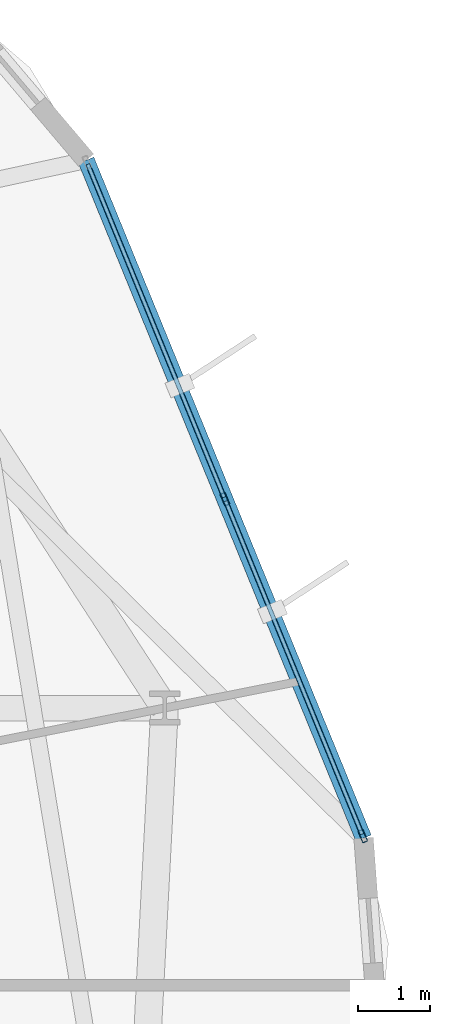
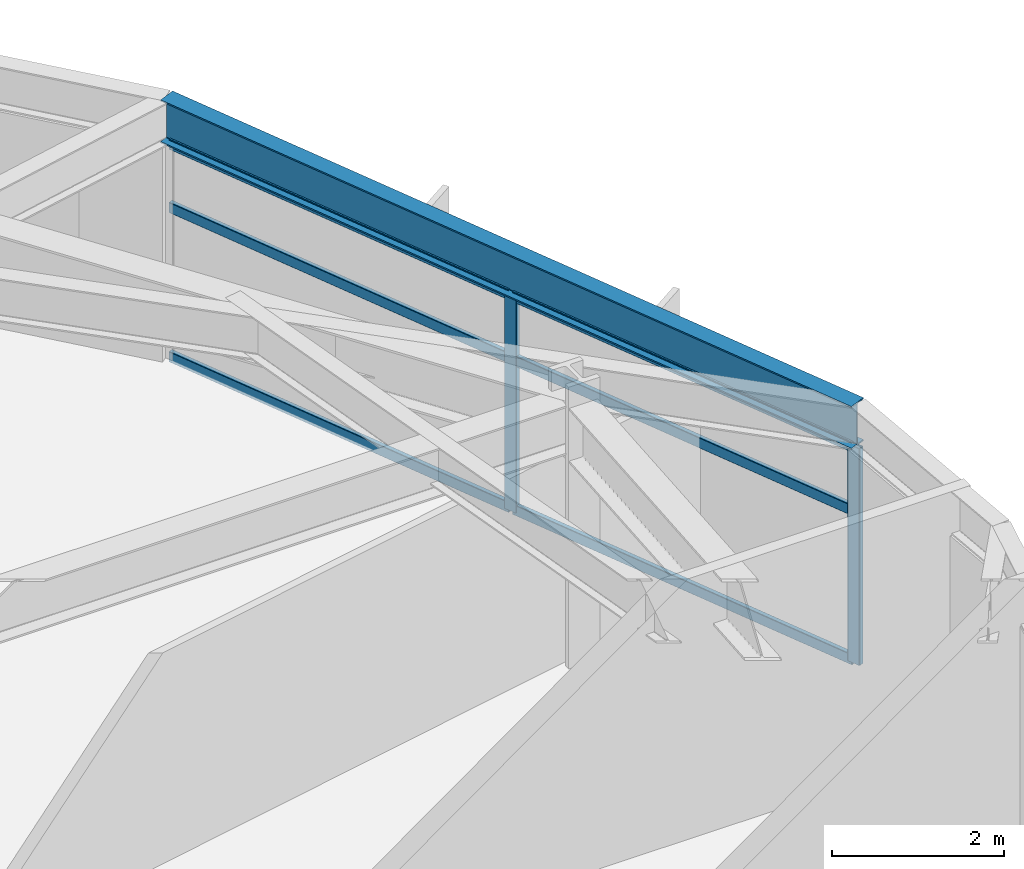
# One storey, part 11 of 22: 8 members, 1 beam, 1 element without a shape of its own.
"""IFC4 building model written with IfcOpenShell, lengths in metres."""

from ifc_helpers import new_model, si_unit, direction, frame, origin, origin_2d, place, context, subcontext, project, spatial, hollow_rectangle, i_section, extrude, material, layer, layer_set, material_profile, profile_set, type_object, element, aggregate, save


model = new_model("IFC4")

# Units and contexts
model_context = context("Model", 3, precision=1e-05, world=origin(), true_north=direction((0.0, 1.0)))
body_context = subcontext(model_context, "Body", "Model", "MODEL_VIEW")
ifc_project = project(units=[si_unit("LENGTHUNIT", "METRE"), si_unit("AREAUNIT", "SQUARE_METRE"), si_unit("VOLUMEUNIT", "CUBIC_METRE"), si_unit("PLANEANGLEUNIT", "RADIAN"), si_unit("MASSUNIT", "GRAM", prefix="KILO")], contexts=[model_context])

# Site, building, storey
site_placement = place(None, origin())
site = spatial("IfcSite", under=ifc_project, at=site_placement, CompositionType="ELEMENT")
building_placement = place(site_placement, origin())
building = spatial("IfcBuilding", under=site, at=building_placement, Name="Soratama Intermodal Tower", CompositionType="ELEMENT")
storey_placement = place(building_placement, frame((0.0, 0.0, 46.60009765625)))
storey = spatial("IfcBuildingStorey", under=building, at=storey_placement, Name="L10", CompositionType="ELEMENT", Elevation=46.60009765625)

# Beam
ifc_material_1 = material(Name="Structural steel ASTM A992 Grade 50", Category="steel")
ifc_material_profile_1 = material_profile(ifc_material_1, i_section(OverallWidth=0.22900390625, OverallDepth=0.612060546875, WebThickness=0.011962890625, FlangeThickness=0.01953125, FilletRadius=0.012939453125, at=origin_2d()), Name="W24X84")
ifc_profile_set_1 = profile_set([ifc_material_profile_1], Name="Structural steel ASTM A992 Grade 50")
beam_type = type_object("IfcBeamType", Name="BM-SPN-W24X84", PredefinedType="SPANDREL", material=ifc_profile_set_1)
beam_placement = place(storey_placement, frame((65.843994140625, 28.0400390625, 3.393798828125), z_axis=(-0.378749740112, 0.925499127155, 0.0), x_axis=(-0.925499127155, -0.378749740112, 0.0)))
element("IfcBeam", 1, at=beam_placement, inside=storey, type_object=beam_type, Name="BS-L10-F01", PredefinedType="SPANDREL", context=body_context, shape_type="SweptSolid", body=[
    extrude(i_section(OverallWidth=0.22900390625, OverallDepth=0.612060546875, WebThickness=0.011962890625, FlangeThickness=0.01953125, FilletRadius=0.012939453125, at=origin_2d()), origin(), (0.0, 0.0, 1.0), 10.165283203125),
])

# Curtain wall, members
ifc_material_2 = material(Name="Double-glazed aluminium curtain wall", Category="aluminium")
ifc_layer = layer(ifc_material_2, 0.159912109375)
ifc_layer_set = layer_set([ifc_layer], Name="Double-glazed aluminium curtain wall")
curtain_wall_type = type_object("IfcCurtainWallType", Name="CW-SYS-2", PredefinedType="NOTDEFINED", material=ifc_layer_set)
curtain_wall_placement = place(storey_placement, origin())
curtain_wall = element("IfcCurtainWall", 2, at=curtain_wall_placement, inside=storey, type_object=curtain_wall_type, Name="L10 Faceted Curtain Wall F01", PredefinedType="NOTDEFINED")
ifc_material_3 = material(Name="Anodised aluminium AA 6063-T6", Category="aluminium")
ifc_material_profile_2 = material_profile(ifc_material_3, hollow_rectangle(XDim=0.074951171875, YDim=0.179931640625, WallThickness=0.006103515625, InnerFilletRadius=0.006103515625, OuterFilletRadius=0.011962890625, at=origin_2d()), Name="CWM180X75X6")
ifc_profile_set_2 = profile_set([ifc_material_profile_2], Name="Anodised aluminium AA 6063-T6")
member_type_1 = type_object("IfcMemberType", Name="MT-CWM-2", PredefinedType="MULLION", material=ifc_profile_set_2)
member_1_placement = place(storey_placement, frame((65.833251953125, 28.06787109375, 0.0), z_axis=(0.0, 0.0, 1.0), x_axis=(-0.925473287982, -0.378812873636, 0.0)))
member_1 = element("IfcMember", 3, at=member_1_placement, type_object=member_type_1, Name="CW-2 mullion 1", PredefinedType="MULLION", context=body_context, shape_type="SweptSolid", body=[
    extrude(hollow_rectangle(XDim=0.074951171875, YDim=0.179931640625, WallThickness=0.006103515625, InnerFilletRadius=0.006103515625, OuterFilletRadius=0.011962890625, at=origin_2d()), origin(), (0.0, 0.0, 1.0), 3.078857421875),
])
member_2_placement = place(storey_placement, frame((63.919189453125, 32.743896484375, 0.0), z_axis=(0.0, 0.0, 1.0), x_axis=(-0.925473287982, -0.378812873636, 0.0)))
member_2 = element("IfcMember", 4, at=member_2_placement, type_object=member_type_1, Name="CW-2 mullion 2", PredefinedType="MULLION", context=body_context, shape_type="SweptSolid", body=[
    extrude(hollow_rectangle(XDim=0.074951171875, YDim=0.179931640625, WallThickness=0.006103515625, InnerFilletRadius=0.006103515625, OuterFilletRadius=0.011962890625, at=origin_2d()), origin(), (0.0, 0.0, 1.0), 3.078857421875),
])
ifc_material_4 = material(Name="Anodised aluminium AA 6063-T6", Category="aluminium")
ifc_material_profile_3 = material_profile(ifc_material_4, hollow_rectangle(XDim=0.06494140625, YDim=0.14990234375, WallThickness=0.0048828125, InnerFilletRadius=0.0048828125, OuterFilletRadius=0.010009765625, at=origin_2d()), Name="CWT150X65X5")
ifc_profile_set_3 = profile_set([ifc_material_profile_3], Name="Anodised aluminium AA 6063-T6")
member_type_2 = type_object("IfcMemberType", Name="TT-CWT-1", PredefinedType="USERDEFINED", material=ifc_profile_set_3)
member_3_placement = place(storey_placement, frame((65.82177734375, 28.095703125, 0.02978515625), z_axis=(-0.378840386539, 0.925462025978, 0.0), x_axis=(-0.925462025978, -0.378840386539, 0.0)))
member_3 = element("IfcMember", 5, at=member_3_placement, type_object=member_type_2, Name="CW-2 transom 1.1", ObjectType="TRANSOM", PredefinedType="USERDEFINED", context=body_context, shape_type="SweptSolid", body=[
    extrude(hollow_rectangle(XDim=0.06494140625, YDim=0.14990234375, WallThickness=0.0048828125, InnerFilletRadius=0.0048828125, OuterFilletRadius=0.010009765625, at=origin_2d()), origin(), (0.0, 0.0, 1.0), 4.992431640625),
])
member_4_placement = place(storey_placement, frame((65.82177734375, 28.095703125, 2.14990234375), z_axis=(-0.378840386539, 0.925462025978, 0.0), x_axis=(-0.925462025978, -0.378840386539, 0.0)))
member_4 = element("IfcMember", 6, at=member_4_placement, type_object=member_type_2, Name="CW-2 transom 1.2", ObjectType="TRANSOM", PredefinedType="USERDEFINED", context=body_context, shape_type="SweptSolid", body=[
    extrude(hollow_rectangle(XDim=0.06494140625, YDim=0.14990234375, WallThickness=0.0048828125, InnerFilletRadius=0.0048828125, OuterFilletRadius=0.010009765625, at=origin_2d()), origin(), (0.0, 0.0, 1.0), 4.992431640625),
])
member_5_placement = place(storey_placement, frame((65.82177734375, 28.095703125, 3.048828125), z_axis=(-0.378840386539, 0.925462025978, 0.0), x_axis=(-0.925462025978, -0.378840386539, 0.0)))
member_5 = element("IfcMember", 7, at=member_5_placement, type_object=member_type_2, Name="CW-2 transom 1.3", ObjectType="TRANSOM", PredefinedType="USERDEFINED", context=body_context, shape_type="SweptSolid", body=[
    extrude(hollow_rectangle(XDim=0.06494140625, YDim=0.14990234375, WallThickness=0.0048828125, InnerFilletRadius=0.0048828125, OuterFilletRadius=0.010009765625, at=origin_2d()), origin(), (0.0, 0.0, 1.0), 4.992431640625),
])
member_6_placement = place(storey_placement, frame((63.90771484375, 32.771728515625, 0.02978515625), z_axis=(-0.378798502169, 0.925479170352, 0.0), x_axis=(-0.925479170352, -0.378798502169, 0.0)))
member_6 = element("IfcMember", 8, at=member_6_placement, type_object=member_type_2, Name="CW-2 transom 2.1", ObjectType="TRANSOM", PredefinedType="USERDEFINED", context=body_context, shape_type="SweptSolid", body=[
    extrude(hollow_rectangle(XDim=0.06494140625, YDim=0.14990234375, WallThickness=0.0048828125, InnerFilletRadius=0.0048828125, OuterFilletRadius=0.010009765625, at=origin_2d()), origin(), (0.0, 0.0, 1.0), 4.992431640625),
])
member_7_placement = place(storey_placement, frame((63.90771484375, 32.771728515625, 2.14990234375), z_axis=(-0.378798502169, 0.925479170352, 0.0), x_axis=(-0.925479170352, -0.378798502169, 0.0)))
member_7 = element("IfcMember", 9, at=member_7_placement, type_object=member_type_2, Name="CW-2 transom 2.2", ObjectType="TRANSOM", PredefinedType="USERDEFINED", context=body_context, shape_type="SweptSolid", body=[
    extrude(hollow_rectangle(XDim=0.06494140625, YDim=0.14990234375, WallThickness=0.0048828125, InnerFilletRadius=0.0048828125, OuterFilletRadius=0.010009765625, at=origin_2d()), origin(), (0.0, 0.0, 1.0), 4.992431640625),
])
member_8_placement = place(storey_placement, frame((63.90771484375, 32.771728515625, 3.048828125), z_axis=(-0.378798502169, 0.925479170352, 0.0), x_axis=(-0.925479170352, -0.378798502169, 0.0)))
member_8 = element("IfcMember", 10, at=member_8_placement, type_object=member_type_2, Name="CW-2 transom 2.3", ObjectType="TRANSOM", PredefinedType="USERDEFINED", context=body_context, shape_type="SweptSolid", body=[
    extrude(hollow_rectangle(XDim=0.06494140625, YDim=0.14990234375, WallThickness=0.0048828125, InnerFilletRadius=0.0048828125, OuterFilletRadius=0.010009765625, at=origin_2d()), origin(), (0.0, 0.0, 1.0), 4.992431640625),
])
aggregate(curtain_wall, [member_1, member_2, member_3, member_4, member_5, member_6, member_7, member_8])

save(model, "model.ifc")
